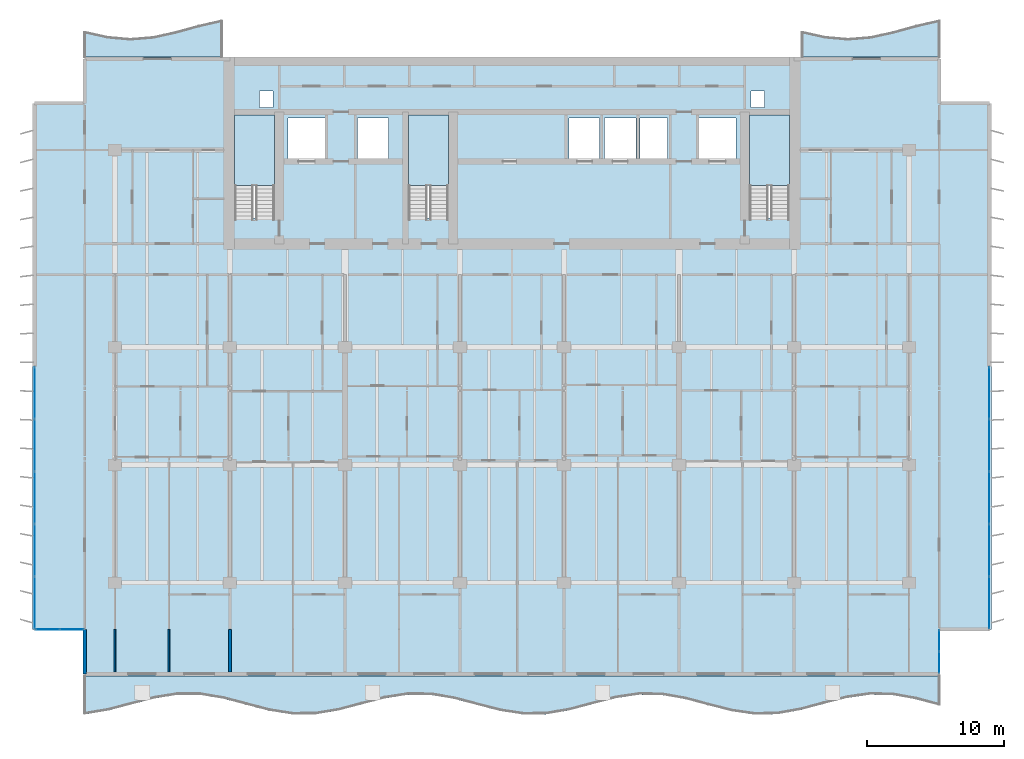
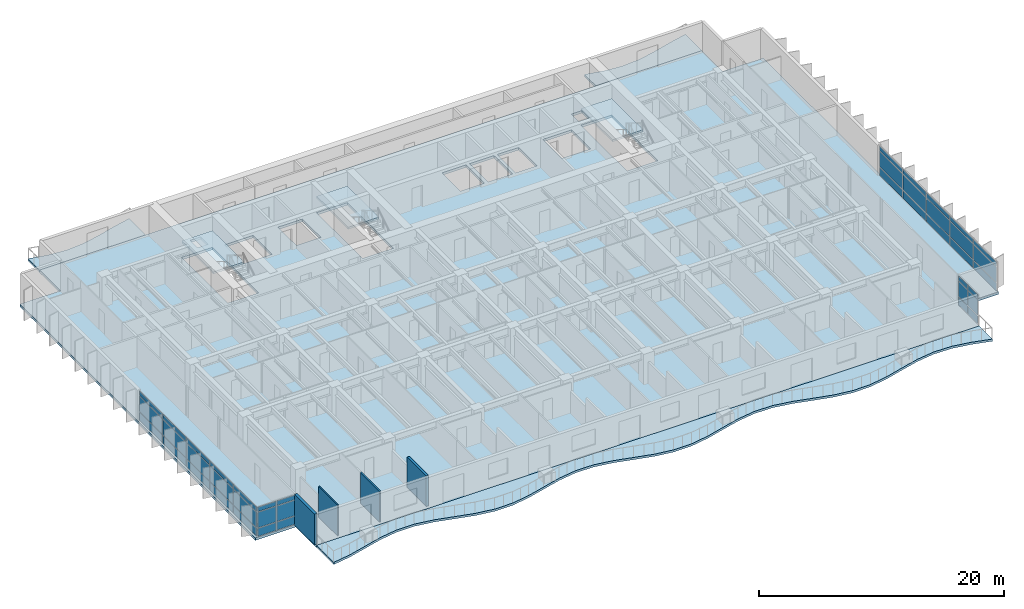
# One storey, part 5 of 18: 42 plates, 7 slabs, 4 walls, 7 elements without a shape of their own.
"""IFC4 building model written with IfcOpenShell, lengths in metres."""

from ifc_helpers import new_model, si_unit, direction, frame, frame_2d, origin, origin_2d, place, context, subcontext, project, spatial, polyline, rectangle, outline, extrude, material, layer, layer_set, type_object, element, aggregate, save


model = new_model("IFC4")

# Units and contexts
model_context = context("Model", 3, precision=1e-05, world=origin(), true_north=direction((0.0, 1.0)))
body_context = subcontext(model_context, "Body", "Model", "MODEL_VIEW")
ifc_project = project(units=[si_unit("LENGTHUNIT", "METRE"), si_unit("AREAUNIT", "SQUARE_METRE"), si_unit("VOLUMEUNIT", "CUBIC_METRE"), si_unit("PLANEANGLEUNIT", "RADIAN"), si_unit("MASSUNIT", "GRAM", prefix="KILO")], contexts=[model_context])

# Site, building, storey
site_placement = place(None, origin())
site = spatial("IfcSite", under=ifc_project, at=site_placement, CompositionType="ELEMENT")
building_placement = place(site_placement, origin())
building = spatial("IfcBuilding", under=site, at=building_placement, Name="Caelmar Bay Residences", CompositionType="ELEMENT")
storey_placement = place(building_placement, frame((0.0, 0.0, 125.699951171875)))
storey = spatial("IfcBuildingStorey", under=building, at=storey_placement, Name="L34", CompositionType="ELEMENT", Elevation=125.699951171875)

# Curtain wall, plates
ifc_material_1 = material(Name="Anodised bronze aluminium 6063-T6 and laminated glass", Category="aluminium")
ifc_layer_1 = layer(ifc_material_1, 0.179931640625)
ifc_layer_set_1 = layer_set([ifc_layer_1], Name="Anodised bronze aluminium 6063-T6 and laminated glass")
curtain_wall_type_1 = type_object("IfcCurtainWallType", Name="CW6-NTC", PredefinedType="NOTDEFINED", material=ifc_layer_set_1)
curtain_wall_1_placement = place(storey_placement, origin())
curtain_wall_1 = element("IfcCurtainWall", 1, at=curtain_wall_1_placement, inside=storey, type_object=curtain_wall_type_1, Name="CW6 curtain wall L34", PredefinedType="NOTDEFINED")
ifc_material_2 = material(Name="Bronze-tinted laminated low-E hurricane glass 28 mm", Category="glass")
ifc_layer_2 = layer(ifc_material_2, 0.028076171875)
ifc_layer_set_2 = layer_set([ifc_layer_2], Name="Bronze-tinted laminated low-E hurricane glass 28 mm")
plate_type = type_object("IfcPlateType", Name="CWP-GLZ28", PredefinedType="CURTAIN_PANEL", material=ifc_layer_set_2)
plate_1_placement = place(storey_placement, frame((4.982421875, 8.800048828125, 0.080078125), z_axis=(0.0, 0.0, 1.0), x_axis=(1.0, 0.0, 0.0)))
plate_1 = element("IfcPlate", 2, at=plate_1_placement, type_object=plate_type, Name="CW6 panel 1.1", PredefinedType="CURTAIN_PANEL", context=body_context, shape_type="SweptSolid", body=[
    extrude(rectangle(XDim=1.705078125, YDim=0.028076171875, at=origin_2d()), origin(), (0.0, 0.0, 1.0), 0.780029296875),
])
plate_2_placement = place(storey_placement, frame((4.982421875, 8.800048828125, 0.93994140625), z_axis=(0.0, 0.0, 1.0), x_axis=(1.0, 0.0, 0.0)))
plate_2 = element("IfcPlate", 3, at=plate_2_placement, type_object=plate_type, Name="CW6 panel 1.2", PredefinedType="CURTAIN_PANEL", context=body_context, shape_type="SweptSolid", body=[
    extrude(rectangle(XDim=1.705078125, YDim=0.028076171875, at=origin_2d()), origin(), (0.0, 0.0, 1.0), 1.52001953125),
])
plate_3_placement = place(storey_placement, frame((4.982421875, 8.800048828125, 2.5400390625), z_axis=(0.0, 0.0, 1.0), x_axis=(1.0, 0.0, 0.0)))
plate_3 = element("IfcPlate", 4, at=plate_3_placement, type_object=plate_type, Name="CW6 panel 1.3", PredefinedType="CURTAIN_PANEL", context=body_context, shape_type="SweptSolid", body=[
    extrude(rectangle(XDim=1.705078125, YDim=0.028076171875, at=origin_2d()), origin(), (0.0, 0.0, 1.0), 0.429931640625),
])
plate_4_placement = place(storey_placement, frame((6.767578125, 8.800048828125, 0.080078125), z_axis=(0.0, 0.0, 1.0), x_axis=(1.0, 0.0, 0.0)))
plate_4 = element("IfcPlate", 5, at=plate_4_placement, type_object=plate_type, Name="CW6 panel 2.1", PredefinedType="CURTAIN_PANEL", context=body_context, shape_type="SweptSolid", body=[
    extrude(rectangle(XDim=1.705078125, YDim=0.028076171875, at=origin_2d()), origin(), (0.0, 0.0, 1.0), 0.780029296875),
])
plate_5_placement = place(storey_placement, frame((6.767578125, 8.800048828125, 0.93994140625), z_axis=(0.0, 0.0, 1.0), x_axis=(1.0, 0.0, 0.0)))
plate_5 = element("IfcPlate", 6, at=plate_5_placement, type_object=plate_type, Name="CW6 panel 2.2", PredefinedType="CURTAIN_PANEL", context=body_context, shape_type="SweptSolid", body=[
    extrude(rectangle(XDim=1.705078125, YDim=0.028076171875, at=origin_2d()), origin(), (0.0, 0.0, 1.0), 1.52001953125),
])
plate_6_placement = place(storey_placement, frame((6.767578125, 8.800048828125, 2.5400390625), z_axis=(0.0, 0.0, 1.0), x_axis=(1.0, 0.0, 0.0)))
plate_6 = element("IfcPlate", 7, at=plate_6_placement, type_object=plate_type, Name="CW6 panel 2.3", PredefinedType="CURTAIN_PANEL", context=body_context, shape_type="SweptSolid", body=[
    extrude(rectangle(XDim=1.705078125, YDim=0.028076171875, at=origin_2d()), origin(), (0.0, 0.0, 1.0), 0.429931640625),
])
aggregate(curtain_wall_1, [plate_1, plate_2, plate_3, plate_4, plate_5, plate_6])

curtain_wall_2_placement = place(storey_placement, origin())
curtain_wall_2 = element("IfcCurtainWall", 8, at=curtain_wall_2_placement, inside=storey, type_object=curtain_wall_type_1, Name="CW6 curtain wall L34", PredefinedType="NOTDEFINED")
plate_7_placement = place(storey_placement, frame((70.10009765625, 6.382568359375, 0.080078125), z_axis=(0.0, 0.0, 1.0), x_axis=(0.0, 1.0, 0.0)))
plate_7 = element("IfcPlate", 9, at=plate_7_placement, type_object=plate_type, Name="CW6 panel 1.1", PredefinedType="CURTAIN_PANEL", context=body_context, shape_type="SweptSolid", body=[
    extrude(rectangle(XDim=1.5048828125, YDim=0.028076171875, at=origin_2d()), origin(), (0.0, 0.0, 1.0), 0.780029296875),
])
plate_8_placement = place(storey_placement, frame((70.10009765625, 6.382568359375, 0.93994140625), z_axis=(0.0, 0.0, 1.0), x_axis=(0.0, 1.0, 0.0)))
plate_8 = element("IfcPlate", 10, at=plate_8_placement, type_object=plate_type, Name="CW6 panel 1.2", PredefinedType="CURTAIN_PANEL", context=body_context, shape_type="SweptSolid", body=[
    extrude(rectangle(XDim=1.5048828125, YDim=0.028076171875, at=origin_2d()), origin(), (0.0, 0.0, 1.0), 1.52001953125),
])
plate_9_placement = place(storey_placement, frame((70.10009765625, 6.382568359375, 2.5400390625), z_axis=(0.0, 0.0, 1.0), x_axis=(0.0, 1.0, 0.0)))
plate_9 = element("IfcPlate", 11, at=plate_9_placement, type_object=plate_type, Name="CW6 panel 1.3", PredefinedType="CURTAIN_PANEL", context=body_context, shape_type="SweptSolid", body=[
    extrude(rectangle(XDim=1.5048828125, YDim=0.028076171875, at=origin_2d()), origin(), (0.0, 0.0, 1.0), 0.429931640625),
])
plate_10_placement = place(storey_placement, frame((70.10009765625, 7.967529296875, 0.080078125), z_axis=(0.0, 0.0, 1.0), x_axis=(0.0, 1.0, 0.0)))
plate_10 = element("IfcPlate", 12, at=plate_10_placement, type_object=plate_type, Name="CW6 panel 2.1", PredefinedType="CURTAIN_PANEL", context=body_context, shape_type="SweptSolid", body=[
    extrude(rectangle(XDim=1.5048828125, YDim=0.028076171875, at=origin_2d()), origin(), (0.0, 0.0, 1.0), 0.780029296875),
])
plate_11_placement = place(storey_placement, frame((70.10009765625, 7.967529296875, 0.93994140625), z_axis=(0.0, 0.0, 1.0), x_axis=(0.0, 1.0, 0.0)))
plate_11 = element("IfcPlate", 13, at=plate_11_placement, type_object=plate_type, Name="CW6 panel 2.2", PredefinedType="CURTAIN_PANEL", context=body_context, shape_type="SweptSolid", body=[
    extrude(rectangle(XDim=1.5048828125, YDim=0.028076171875, at=origin_2d()), origin(), (0.0, 0.0, 1.0), 1.52001953125),
])
plate_12_placement = place(storey_placement, frame((70.10009765625, 7.967529296875, 2.5400390625), z_axis=(0.0, 0.0, 1.0), x_axis=(0.0, 1.0, 0.0)))
plate_12 = element("IfcPlate", 14, at=plate_12_placement, type_object=plate_type, Name="CW6 panel 2.3", PredefinedType="CURTAIN_PANEL", context=body_context, shape_type="SweptSolid", body=[
    extrude(rectangle(XDim=1.5048828125, YDim=0.028076171875, at=origin_2d()), origin(), (0.0, 0.0, 1.0), 0.429931640625),
])
aggregate(curtain_wall_2, [plate_7, plate_8, plate_9, plate_10, plate_11, plate_12])

ifc_layer_3 = layer(ifc_material_1, 0.179931640625)
ifc_layer_set_3 = layer_set([ifc_layer_3], Name="Anodised bronze aluminium 6063-T6 and laminated glass")
curtain_wall_type_2 = type_object("IfcCurtainWallType", Name="CW3-Z2", PredefinedType="NOTDEFINED", material=ifc_layer_set_3)
curtain_wall_3_placement = place(storey_placement, origin())
curtain_wall_3 = element("IfcCurtainWall", 15, at=curtain_wall_3_placement, inside=storey, type_object=curtain_wall_type_2, Name="CW3 curtain wall L34", PredefinedType="NOTDEFINED")
plate_13_placement = place(storey_placement, frame((4.050048828125, 10.739990234375, 0.080078125), z_axis=(0.0, 0.0, 1.0), x_axis=(0.0, 1.0, 0.0)))
plate_13 = element("IfcPlate", 16, at=plate_13_placement, type_object=plate_type, Name="CW3 panel 1.1", PredefinedType="CURTAIN_PANEL", context=body_context, shape_type="SweptSolid", body=[
    extrude(rectangle(XDim=3.719970703125, YDim=0.028076171875, at=origin_2d()), origin(), (0.0, 0.0, 1.0), 0.780029296875),
])
plate_14_placement = place(storey_placement, frame((4.050048828125, 10.739990234375, 0.93994140625), z_axis=(0.0, 0.0, 1.0), x_axis=(0.0, 1.0, 0.0)))
plate_14 = element("IfcPlate", 17, at=plate_14_placement, type_object=plate_type, Name="CW3 panel 1.2", PredefinedType="CURTAIN_PANEL", context=body_context, shape_type="SweptSolid", body=[
    extrude(rectangle(XDim=3.719970703125, YDim=0.028076171875, at=origin_2d()), origin(), (0.0, 0.0, 1.0), 1.52001953125),
])
plate_15_placement = place(storey_placement, frame((4.050048828125, 10.739990234375, 2.5400390625), z_axis=(0.0, 0.0, 1.0), x_axis=(0.0, 1.0, 0.0)))
plate_15 = element("IfcPlate", 18, at=plate_15_placement, type_object=plate_type, Name="CW3 panel 1.3", PredefinedType="CURTAIN_PANEL", context=body_context, shape_type="SweptSolid", body=[
    extrude(rectangle(XDim=3.719970703125, YDim=0.028076171875, at=origin_2d()), origin(), (0.0, 0.0, 1.0), 0.429931640625),
])
plate_16_placement = place(storey_placement, frame((4.050048828125, 14.56005859375, 0.080078125), z_axis=(0.0, 0.0, 1.0), x_axis=(0.0, 1.0, 0.0)))
plate_16 = element("IfcPlate", 19, at=plate_16_placement, type_object=plate_type, Name="CW3 panel 2.1", PredefinedType="CURTAIN_PANEL", context=body_context, shape_type="SweptSolid", body=[
    extrude(rectangle(XDim=3.760009765625, YDim=0.028076171875, at=origin_2d()), origin(), (0.0, 0.0, 1.0), 0.780029296875),
])
plate_17_placement = place(storey_placement, frame((4.050048828125, 14.56005859375, 0.93994140625), z_axis=(0.0, 0.0, 1.0), x_axis=(0.0, 1.0, 0.0)))
plate_17 = element("IfcPlate", 20, at=plate_17_placement, type_object=plate_type, Name="CW3 panel 2.2", PredefinedType="CURTAIN_PANEL", context=body_context, shape_type="SweptSolid", body=[
    extrude(rectangle(XDim=3.760009765625, YDim=0.028076171875, at=origin_2d()), origin(), (0.0, 0.0, 1.0), 1.52001953125),
])
plate_18_placement = place(storey_placement, frame((4.050048828125, 14.56005859375, 2.5400390625), z_axis=(0.0, 0.0, 1.0), x_axis=(0.0, 1.0, 0.0)))
plate_18 = element("IfcPlate", 21, at=plate_18_placement, type_object=plate_type, Name="CW3 panel 2.3", PredefinedType="CURTAIN_PANEL", context=body_context, shape_type="SweptSolid", body=[
    extrude(rectangle(XDim=3.760009765625, YDim=0.028076171875, at=origin_2d()), origin(), (0.0, 0.0, 1.0), 0.429931640625),
])
plate_19_placement = place(storey_placement, frame((4.050048828125, 18.39990234375, 0.080078125), z_axis=(0.0, 0.0, 1.0), x_axis=(0.0, 1.0, 0.0)))
plate_19 = element("IfcPlate", 22, at=plate_19_placement, type_object=plate_type, Name="CW3 panel 3.1", PredefinedType="CURTAIN_PANEL", context=body_context, shape_type="SweptSolid", body=[
    extrude(rectangle(XDim=3.760009765625, YDim=0.028076171875, at=origin_2d()), origin(), (0.0, 0.0, 1.0), 0.780029296875),
])
plate_20_placement = place(storey_placement, frame((4.050048828125, 18.39990234375, 0.93994140625), z_axis=(0.0, 0.0, 1.0), x_axis=(0.0, 1.0, 0.0)))
plate_20 = element("IfcPlate", 23, at=plate_20_placement, type_object=plate_type, Name="CW3 panel 3.2", PredefinedType="CURTAIN_PANEL", context=body_context, shape_type="SweptSolid", body=[
    extrude(rectangle(XDim=3.760009765625, YDim=0.028076171875, at=origin_2d()), origin(), (0.0, 0.0, 1.0), 1.52001953125),
])
plate_21_placement = place(storey_placement, frame((4.050048828125, 18.39990234375, 2.5400390625), z_axis=(0.0, 0.0, 1.0), x_axis=(0.0, 1.0, 0.0)))
plate_21 = element("IfcPlate", 24, at=plate_21_placement, type_object=plate_type, Name="CW3 panel 3.3", PredefinedType="CURTAIN_PANEL", context=body_context, shape_type="SweptSolid", body=[
    extrude(rectangle(XDim=3.760009765625, YDim=0.028076171875, at=origin_2d()), origin(), (0.0, 0.0, 1.0), 0.429931640625),
])
plate_22_placement = place(storey_placement, frame((4.050048828125, 22.239990234375, 0.080078125), z_axis=(0.0, 0.0, 1.0), x_axis=(0.0, 1.0, 0.0)))
plate_22 = element("IfcPlate", 25, at=plate_22_placement, type_object=plate_type, Name="CW3 panel 4.1", PredefinedType="CURTAIN_PANEL", context=body_context, shape_type="SweptSolid", body=[
    extrude(rectangle(XDim=3.760009765625, YDim=0.028076171875, at=origin_2d()), origin(), (0.0, 0.0, 1.0), 0.780029296875),
])
plate_23_placement = place(storey_placement, frame((4.050048828125, 22.239990234375, 0.93994140625), z_axis=(0.0, 0.0, 1.0), x_axis=(0.0, 1.0, 0.0)))
plate_23 = element("IfcPlate", 26, at=plate_23_placement, type_object=plate_type, Name="CW3 panel 4.2", PredefinedType="CURTAIN_PANEL", context=body_context, shape_type="SweptSolid", body=[
    extrude(rectangle(XDim=3.760009765625, YDim=0.028076171875, at=origin_2d()), origin(), (0.0, 0.0, 1.0), 1.52001953125),
])
plate_24_placement = place(storey_placement, frame((4.050048828125, 22.239990234375, 2.5400390625), z_axis=(0.0, 0.0, 1.0), x_axis=(0.0, 1.0, 0.0)))
plate_24 = element("IfcPlate", 27, at=plate_24_placement, type_object=plate_type, Name="CW3 panel 4.3", PredefinedType="CURTAIN_PANEL", context=body_context, shape_type="SweptSolid", body=[
    extrude(rectangle(XDim=3.760009765625, YDim=0.028076171875, at=origin_2d()), origin(), (0.0, 0.0, 1.0), 0.429931640625),
])
plate_25_placement = place(storey_placement, frame((4.050048828125, 26.06005859375, 0.080078125), z_axis=(0.0, 0.0, 1.0), x_axis=(0.0, 1.0, 0.0)))
plate_25 = element("IfcPlate", 28, at=plate_25_placement, type_object=plate_type, Name="CW3 panel 5.1", PredefinedType="CURTAIN_PANEL", context=body_context, shape_type="SweptSolid", body=[
    extrude(rectangle(XDim=3.719970703125, YDim=0.028076171875, at=origin_2d()), origin(), (0.0, 0.0, 1.0), 0.780029296875),
])
plate_26_placement = place(storey_placement, frame((4.050048828125, 26.06005859375, 0.93994140625), z_axis=(0.0, 0.0, 1.0), x_axis=(0.0, 1.0, 0.0)))
plate_26 = element("IfcPlate", 29, at=plate_26_placement, type_object=plate_type, Name="CW3 panel 5.2", PredefinedType="CURTAIN_PANEL", context=body_context, shape_type="SweptSolid", body=[
    extrude(rectangle(XDim=3.719970703125, YDim=0.028076171875, at=origin_2d()), origin(), (0.0, 0.0, 1.0), 1.52001953125),
])
plate_27_placement = place(storey_placement, frame((4.050048828125, 26.06005859375, 2.5400390625), z_axis=(0.0, 0.0, 1.0), x_axis=(0.0, 1.0, 0.0)))
plate_27 = element("IfcPlate", 30, at=plate_27_placement, type_object=plate_type, Name="CW3 panel 5.3", PredefinedType="CURTAIN_PANEL", context=body_context, shape_type="SweptSolid", body=[
    extrude(rectangle(XDim=3.719970703125, YDim=0.028076171875, at=origin_2d()), origin(), (0.0, 0.0, 1.0), 0.429931640625),
])
aggregate(curtain_wall_3, [plate_13, plate_14, plate_15, plate_16, plate_17, plate_18, plate_19, plate_20, plate_21, plate_22, plate_23, plate_24, plate_25, plate_26, plate_27])

curtain_wall_4_placement = place(storey_placement, origin())
curtain_wall_4 = element("IfcCurtainWall", 31, at=curtain_wall_4_placement, inside=storey, type_object=curtain_wall_type_2, Name="CW3 curtain wall L34", PredefinedType="NOTDEFINED")
plate_28_placement = place(storey_placement, frame((73.75, 26.06005859375, 0.080078125), z_axis=(0.0, 0.0, 1.0), x_axis=(0.0, -1.0, 0.0)))
plate_28 = element("IfcPlate", 32, at=plate_28_placement, type_object=plate_type, Name="CW3 panel 1.1", PredefinedType="CURTAIN_PANEL", context=body_context, shape_type="SweptSolid", body=[
    extrude(rectangle(XDim=3.719970703125, YDim=0.028076171875, at=origin_2d()), origin(), (0.0, 0.0, 1.0), 0.780029296875),
])
plate_29_placement = place(storey_placement, frame((73.75, 26.06005859375, 0.93994140625), z_axis=(0.0, 0.0, 1.0), x_axis=(0.0, -1.0, 0.0)))
plate_29 = element("IfcPlate", 33, at=plate_29_placement, type_object=plate_type, Name="CW3 panel 1.2", PredefinedType="CURTAIN_PANEL", context=body_context, shape_type="SweptSolid", body=[
    extrude(rectangle(XDim=3.719970703125, YDim=0.028076171875, at=origin_2d()), origin(), (0.0, 0.0, 1.0), 1.52001953125),
])
plate_30_placement = place(storey_placement, frame((73.75, 26.06005859375, 2.5400390625), z_axis=(0.0, 0.0, 1.0), x_axis=(0.0, -1.0, 0.0)))
plate_30 = element("IfcPlate", 34, at=plate_30_placement, type_object=plate_type, Name="CW3 panel 1.3", PredefinedType="CURTAIN_PANEL", context=body_context, shape_type="SweptSolid", body=[
    extrude(rectangle(XDim=3.719970703125, YDim=0.028076171875, at=origin_2d()), origin(), (0.0, 0.0, 1.0), 0.429931640625),
])
plate_31_placement = place(storey_placement, frame((73.75, 22.239990234375, 0.080078125), z_axis=(0.0, 0.0, 1.0), x_axis=(0.0, -1.0, 0.0)))
plate_31 = element("IfcPlate", 35, at=plate_31_placement, type_object=plate_type, Name="CW3 panel 2.1", PredefinedType="CURTAIN_PANEL", context=body_context, shape_type="SweptSolid", body=[
    extrude(rectangle(XDim=3.760009765625, YDim=0.028076171875, at=origin_2d()), origin(), (0.0, 0.0, 1.0), 0.780029296875),
])
plate_32_placement = place(storey_placement, frame((73.75, 22.239990234375, 0.93994140625), z_axis=(0.0, 0.0, 1.0), x_axis=(0.0, -1.0, 0.0)))
plate_32 = element("IfcPlate", 36, at=plate_32_placement, type_object=plate_type, Name="CW3 panel 2.2", PredefinedType="CURTAIN_PANEL", context=body_context, shape_type="SweptSolid", body=[
    extrude(rectangle(XDim=3.760009765625, YDim=0.028076171875, at=origin_2d()), origin(), (0.0, 0.0, 1.0), 1.52001953125),
])
plate_33_placement = place(storey_placement, frame((73.75, 22.239990234375, 2.5400390625), z_axis=(0.0, 0.0, 1.0), x_axis=(0.0, -1.0, 0.0)))
plate_33 = element("IfcPlate", 37, at=plate_33_placement, type_object=plate_type, Name="CW3 panel 2.3", PredefinedType="CURTAIN_PANEL", context=body_context, shape_type="SweptSolid", body=[
    extrude(rectangle(XDim=3.760009765625, YDim=0.028076171875, at=origin_2d()), origin(), (0.0, 0.0, 1.0), 0.429931640625),
])
plate_34_placement = place(storey_placement, frame((73.75, 18.39990234375, 0.080078125), z_axis=(0.0, 0.0, 1.0), x_axis=(0.0, -1.0, 0.0)))
plate_34 = element("IfcPlate", 38, at=plate_34_placement, type_object=plate_type, Name="CW3 panel 3.1", PredefinedType="CURTAIN_PANEL", context=body_context, shape_type="SweptSolid", body=[
    extrude(rectangle(XDim=3.760009765625, YDim=0.028076171875, at=origin_2d()), origin(), (0.0, 0.0, 1.0), 0.780029296875),
])
plate_35_placement = place(storey_placement, frame((73.75, 18.39990234375, 0.93994140625), z_axis=(0.0, 0.0, 1.0), x_axis=(0.0, -1.0, 0.0)))
plate_35 = element("IfcPlate", 39, at=plate_35_placement, type_object=plate_type, Name="CW3 panel 3.2", PredefinedType="CURTAIN_PANEL", context=body_context, shape_type="SweptSolid", body=[
    extrude(rectangle(XDim=3.760009765625, YDim=0.028076171875, at=origin_2d()), origin(), (0.0, 0.0, 1.0), 1.52001953125),
])
plate_36_placement = place(storey_placement, frame((73.75, 18.39990234375, 2.5400390625), z_axis=(0.0, 0.0, 1.0), x_axis=(0.0, -1.0, 0.0)))
plate_36 = element("IfcPlate", 40, at=plate_36_placement, type_object=plate_type, Name="CW3 panel 3.3", PredefinedType="CURTAIN_PANEL", context=body_context, shape_type="SweptSolid", body=[
    extrude(rectangle(XDim=3.760009765625, YDim=0.028076171875, at=origin_2d()), origin(), (0.0, 0.0, 1.0), 0.429931640625),
])
plate_37_placement = place(storey_placement, frame((73.75, 14.56005859375, 0.080078125), z_axis=(0.0, 0.0, 1.0), x_axis=(0.0, -1.0, 0.0)))
plate_37 = element("IfcPlate", 41, at=plate_37_placement, type_object=plate_type, Name="CW3 panel 4.1", PredefinedType="CURTAIN_PANEL", context=body_context, shape_type="SweptSolid", body=[
    extrude(rectangle(XDim=3.760009765625, YDim=0.028076171875, at=origin_2d()), origin(), (0.0, 0.0, 1.0), 0.780029296875),
])
plate_38_placement = place(storey_placement, frame((73.75, 14.56005859375, 0.93994140625), z_axis=(0.0, 0.0, 1.0), x_axis=(0.0, -1.0, 0.0)))
plate_38 = element("IfcPlate", 42, at=plate_38_placement, type_object=plate_type, Name="CW3 panel 4.2", PredefinedType="CURTAIN_PANEL", context=body_context, shape_type="SweptSolid", body=[
    extrude(rectangle(XDim=3.760009765625, YDim=0.028076171875, at=origin_2d()), origin(), (0.0, 0.0, 1.0), 1.52001953125),
])
plate_39_placement = place(storey_placement, frame((73.75, 14.56005859375, 2.5400390625), z_axis=(0.0, 0.0, 1.0), x_axis=(0.0, -1.0, 0.0)))
plate_39 = element("IfcPlate", 43, at=plate_39_placement, type_object=plate_type, Name="CW3 panel 4.3", PredefinedType="CURTAIN_PANEL", context=body_context, shape_type="SweptSolid", body=[
    extrude(rectangle(XDim=3.760009765625, YDim=0.028076171875, at=origin_2d()), origin(), (0.0, 0.0, 1.0), 0.429931640625),
])
plate_40_placement = place(storey_placement, frame((73.75, 10.739990234375, 0.080078125), z_axis=(0.0, 0.0, 1.0), x_axis=(0.0, -1.0, 0.0)))
plate_40 = element("IfcPlate", 44, at=plate_40_placement, type_object=plate_type, Name="CW3 panel 5.1", PredefinedType="CURTAIN_PANEL", context=body_context, shape_type="SweptSolid", body=[
    extrude(rectangle(XDim=3.719970703125, YDim=0.028076171875, at=origin_2d()), origin(), (0.0, 0.0, 1.0), 0.780029296875),
])
plate_41_placement = place(storey_placement, frame((73.75, 10.739990234375, 0.93994140625), z_axis=(0.0, 0.0, 1.0), x_axis=(0.0, -1.0, 0.0)))
plate_41 = element("IfcPlate", 45, at=plate_41_placement, type_object=plate_type, Name="CW3 panel 5.2", PredefinedType="CURTAIN_PANEL", context=body_context, shape_type="SweptSolid", body=[
    extrude(rectangle(XDim=3.719970703125, YDim=0.028076171875, at=origin_2d()), origin(), (0.0, 0.0, 1.0), 1.52001953125),
])
plate_42_placement = place(storey_placement, frame((73.75, 10.739990234375, 2.5400390625), z_axis=(0.0, 0.0, 1.0), x_axis=(0.0, -1.0, 0.0)))
plate_42 = element("IfcPlate", 46, at=plate_42_placement, type_object=plate_type, Name="CW3 panel 5.3", PredefinedType="CURTAIN_PANEL", context=body_context, shape_type="SweptSolid", body=[
    extrude(rectangle(XDim=3.719970703125, YDim=0.028076171875, at=origin_2d()), origin(), (0.0, 0.0, 1.0), 0.429931640625),
])
aggregate(curtain_wall_4, [plate_28, plate_29, plate_30, plate_31, plate_32, plate_33, plate_34, plate_35, plate_36, plate_37, plate_38, plate_39, plate_40, plate_41, plate_42])

# Slabs
ifc_material_3 = material(Name="Concrete f'c 40 MPa (6,000 psi)", Category="concrete")
ifc_layer_4 = layer(ifc_material_3, 0.219970703125)
ifc_layer_set_4 = layer_set([ifc_layer_4], Name="Concrete f'c 40 MPa (6,000 psi)")
slab_type_1 = type_object("IfcSlabType", Name="SLB-BAL-220", PredefinedType="FLOOR", material=ifc_layer_set_4)
slab_1_placement = place(storey_placement, frame((0.0, 0.0, -0.219970703125)))
element("IfcSlab", 47, at=slab_1_placement, inside=storey, type_object=slab_type_1, Name="L34 Sinusoidal Tree-Balcony Slab south", PredefinedType="FLOOR", context=body_context, shape_type="SweptSolid", body=[
    extrude(outline(polyline([(7.699951171875, 2.586669921875), (9.386474609375, 2.860595703125), (11.072998046875, 3.3037109375), (12.759521484375, 3.745361328125), (14.44580078125, 4.015380859375), (16.13232421875, 4.010498046875), (17.81884765625, 3.73193359375), (19.50537109375, 3.287353515625), (21.19189453125, 2.847412109375), (22.87841796875, 2.581787109375), (24.56494140625, 2.592529296875), (26.25146484375, 2.87548828125), (27.937744140625, 3.32177734375), (29.624267578125, 3.759765625), (31.310791015625, 4.020751953125), (32.997314453125, 4.00439453125), (34.683837890625, 3.717041015625), (36.370361328125, 3.26904296875), (38.056884765625, 2.8330078125), (39.7431640625, 2.576904296875), (41.4296875, 2.598876953125), (43.1162109375, 2.890625), (44.802734375, 3.340087890625), (46.4892578125, 3.77392578125), (48.17578125, 4.025634765625), (49.8623046875, 3.997802734375), (51.548583984375, 3.70166015625), (53.235107421875, 3.2509765625), (54.921630859375, 2.819091796875), (56.608154296875, 2.572265625), (58.294677734375, 2.60546875), (59.981201171875, 2.906005859375), (61.66748046875, 3.358154296875), (63.35400390625, 3.7880859375), (65.04052734375, 4.030029296875), (66.72705078125, 3.9912109375), (68.41357421875, 3.686279296875), (70.10009765625, 3.23291015625), (70.10009765625, 5.39990234375), (7.699951171875, 5.39990234375), (7.699951171875, 2.586669921875)])), origin(), (0.0, 0.0, 1.0), 0.219970703125),
])
slab_2_placement = place(storey_placement, frame((0.0, 0.0, -0.219970703125)))
element("IfcSlab", 48, at=slab_2_placement, inside=storey, type_object=slab_type_1, Name="L34 Sinusoidal Tree-Balcony Slab north_west", PredefinedType="FLOOR", context=body_context, shape_type="SweptSolid", body=[
    extrude(outline(polyline([(7.699951171875, 50.60009765625), (17.699951171875, 50.60009765625), (17.699951171875, 53.293212890625), (16.033203125, 52.913818359375), (14.36669921875, 52.4541015625), (12.699951171875, 52.086669921875), (11.033203125, 51.949951171875), (9.36669921875, 52.095458984375), (7.699951171875, 52.46826171875), (7.699951171875, 50.60009765625)])), origin(), (0.0, 0.0, 1.0), 0.219970703125),
])
slab_3_placement = place(storey_placement, frame((0.0, 0.0, -0.219970703125)))
element("IfcSlab", 49, at=slab_3_placement, inside=storey, type_object=slab_type_1, Name="L34 Sinusoidal Tree-Balcony Slab north_east", PredefinedType="FLOOR", context=body_context, shape_type="SweptSolid", body=[
    extrude(outline(polyline([(60.10009765625, 50.60009765625), (70.10009765625, 50.60009765625), (70.10009765625, 53.293212890625), (68.433349609375, 52.913818359375), (66.7666015625, 52.4541015625), (65.10009765625, 52.086669921875), (63.433349609375, 51.949951171875), (61.7666015625, 52.095458984375), (60.10009765625, 52.46826171875), (60.10009765625, 50.60009765625)])), origin(), (0.0, 0.0, 1.0), 0.219970703125),
])

# Stair, slab
stair_type = type_object("IfcStairType", Name="ST-TYP-165", PredefinedType="HALF_TURN_STAIR", material=ifc_material_3)
stair_1_placement = place(storey_placement, origin())
stair_1 = element("IfcStair", 50, at=stair_1_placement, inside=storey, type_object=stair_type, Name="L34 West Smokeproof Exit Stair ST1", PredefinedType="HALF_TURN_STAIR")
ifc_layer_5 = layer(ifc_material_3, 0.199951171875)
ifc_layer_set_5 = layer_set([ifc_layer_5], Name="Concrete f'c 40 MPa (6,000 psi)")
slab_type_2 = type_object("IfcSlabType", Name="SLB-LND-200", PredefinedType="LANDING", material=ifc_layer_set_5)
slab_4_placement = place(storey_placement, frame((0.0, 0.0, 1.449951171875)))
slab_4 = element("IfcSlab", 51, at=slab_4_placement, type_object=slab_type_2, Name="ST1 landing 1", PredefinedType="LANDING", context=body_context, shape_type="SweptSolid", body=[
    extrude(outline(polyline([(21.550048828125, 41.219970703125), (21.550048828125, 46.35009765625), (18.64990234375, 46.35009765625), (18.64990234375, 41.219970703125), (21.550048828125, 41.219970703125)])), origin(), (0.0, 0.0, 1.0), 0.2001953125),
])
aggregate(stair_1, [slab_4])

stair_2_placement = place(storey_placement, origin())
stair_2 = element("IfcStair", 52, at=stair_2_placement, inside=storey, type_object=stair_type, Name="L34 East Smokeproof Exit Stair ST2", PredefinedType="HALF_TURN_STAIR")
slab_5_placement = place(storey_placement, frame((0.0, 0.0, 1.449951171875)))
slab_5 = element("IfcSlab", 53, at=slab_5_placement, type_object=slab_type_2, Name="ST2 landing 1", PredefinedType="LANDING", context=body_context, shape_type="SweptSolid", body=[
    extrude(outline(polyline([(59.14990234375, 41.219970703125), (59.14990234375, 46.35009765625), (56.25, 46.35009765625), (56.25, 41.219970703125), (59.14990234375, 41.219970703125)])), origin(), (0.0, 0.0, 1.0), 0.2001953125),
])
aggregate(stair_2, [slab_5])

stair_3_placement = place(storey_placement, origin())
stair_3 = element("IfcStair", 54, at=stair_3_placement, inside=storey, type_object=stair_type, Name="L34 Central Smokeproof Exit Stair ST3", PredefinedType="HALF_TURN_STAIR")
slab_6_placement = place(storey_placement, frame((0.0, 0.0, 1.449951171875)))
slab_6 = element("IfcSlab", 55, at=slab_6_placement, type_object=slab_type_2, Name="ST3 landing 1", PredefinedType="LANDING", context=body_context, shape_type="SweptSolid", body=[
    extrude(outline(polyline([(34.25, 41.219970703125), (34.25, 46.35009765625), (31.35009765625, 46.35009765625), (31.35009765625, 41.219970703125), (34.25, 41.219970703125)])), origin(), (0.0, 0.0, 1.0), 0.2001953125),
])
aggregate(stair_3, [slab_6])

# Slab
ifc_layer_6 = layer(ifc_material_3, 0.25)
ifc_layer_set_6 = layer_set([ifc_layer_6], Name="Concrete f'c 40 MPa (6,000 psi)")
slab_type_3 = type_object("IfcSlabType", Name="SLB-RES-250", PredefinedType="FLOOR", material=ifc_layer_set_6)
slab_7_placement = place(storey_placement, frame((0.0, 0.0, -0.25)))
element("IfcSlab", 56, at=slab_7_placement, inside=storey, type_object=slab_type_3, Name="L34 Structural Floor Slab", PredefinedType="FLOOR", context=body_context, shape_type="SweptSolid", body=[
    extrude(outline(polyline([(7.699951171875, 5.39990234375), (70.10009765625, 5.39990234375), (70.10009765625, 8.800048828125), (73.89990234375, 8.800048828125), (73.89990234375, 47.199951171875), (70.10009765625, 47.199951171875), (70.10009765625, 50.60009765625), (7.699951171875, 50.60009765625), (7.699951171875, 47.199951171875), (3.89990234375, 47.199951171875), (3.89990234375, 8.800048828125), (7.699951171875, 8.800048828125), (7.699951171875, 5.39990234375)]), holes=[polyline([(18.64990234375, 38.85009765625), (21.550048828125, 38.85009765625), (21.550048828125, 46.35009765625), (18.64990234375, 46.35009765625), (18.64990234375, 38.85009765625)]), polyline([(56.25, 38.85009765625), (59.14990234375, 38.85009765625), (59.14990234375, 46.35009765625), (56.25, 46.35009765625), (56.25, 38.85009765625)]), polyline([(31.35009765625, 38.85009765625), (34.25, 38.85009765625), (34.25, 46.35009765625), (31.35009765625, 46.35009765625), (31.35009765625, 38.85009765625)]), polyline([(22.550048828125, 43.050048828125), (25.25, 43.050048828125), (25.25, 46.14990234375), (22.550048828125, 46.14990234375), (22.550048828125, 43.050048828125)]), polyline([(52.550048828125, 43.050048828125), (55.25, 43.050048828125), (55.25, 46.14990234375), (52.550048828125, 46.14990234375), (52.550048828125, 43.050048828125)]), polyline([(43.050048828125, 43.14990234375), (45.300048828125, 43.14990234375), (45.300048828125, 46.14990234375), (43.050048828125, 46.14990234375), (43.050048828125, 43.14990234375)]), polyline([(45.64990234375, 43.14990234375), (47.949951171875, 43.14990234375), (47.949951171875, 46.14990234375), (45.64990234375, 46.14990234375), (45.64990234375, 43.14990234375)]), polyline([(48.25, 43.14990234375), (50.25, 43.14990234375), (50.25, 46.14990234375), (48.25, 46.14990234375), (48.25, 43.14990234375)]), polyline([(27.60009765625, 43.14990234375), (29.89990234375, 43.14990234375), (29.89990234375, 46.14990234375), (27.60009765625, 46.14990234375), (27.60009765625, 43.14990234375)]), polyline([(20.449951171875, 46.89990234375), (21.449951171875, 46.89990234375), (21.449951171875, 48.10009765625), (20.449951171875, 48.10009765625), (20.449951171875, 46.89990234375)]), polyline([(56.35009765625, 46.89990234375), (57.35009765625, 46.89990234375), (57.35009765625, 48.10009765625), (56.35009765625, 48.10009765625), (56.35009765625, 46.89990234375)])]), origin(), (0.0, 0.0, 1.0), 0.25),
])

# Walls
ifc_material_4 = material(Name="Precast concrete f'c 40 MPa (6,000 psi)", Category="concrete")
ifc_layer_7 = layer(ifc_material_4, 0.25)
ifc_layer_set_7 = layer_set([ifc_layer_7], Name="Precast concrete f'c 40 MPa (6,000 psi)")
wall_type_1 = type_object("IfcWallType", Name="W-EXT-250", PredefinedType="ELEMENTEDWALL", material=ifc_layer_set_7)
wall_1_placement = place(storey_placement, frame((7.699951171875, 8.800048828125, 0.0), z_axis=(0.0, 0.0, 1.0), x_axis=(0.0, -1.0, 0.0)))
element("IfcWall", 57, at=wall_1_placement, inside=storey, type_object=wall_type_1, Name="L34 SW Notch Return Wall", PredefinedType="ELEMENTEDWALL", context=body_context, shape_type="SweptSolid", body=[
    extrude(rectangle(XDim=3.25, YDim=0.25, at=frame_2d((1.625, 0.0))), origin(), (0.0, 0.0, 1.0), 3.050048828125),
])
ifc_material_5 = material(Name="Acoustic metal-stud gypsum partition 120 mm")
ifc_layer_8 = layer(ifc_material_5, 0.1201171875)
ifc_layer_set_8 = layer_set([ifc_layer_8], Name="Acoustic metal-stud gypsum partition 120 mm")
wall_type_2 = type_object("IfcWallType", Name="W-PRT-120", PredefinedType="PARTITIONING", material=ifc_layer_set_8)
for number, where, z_axis, x_axis, name in (
    (58, (9.89990234375, 5.695068359375, 0.0), (0.0, 0.0, 1.0), (0.0, 1.0, 0.0), "L34 Partition Wall V009"),
    (59, (13.847900390625, 5.695068359375, 0.0), (0.0, 0.0, 1.0), (0.0, 1.0, 0.0), "L34 Partition Wall V016"),
):
    element("IfcWall", number, at=place(storey_placement, frame(where, z_axis=z_axis, x_axis=x_axis)), inside=storey, type_object=wall_type_2, Name=name, PredefinedType="PARTITIONING", context=body_context, shape_type="SweptSolid", body=[
        extrude(rectangle(XDim=3.10498046875, YDim=0.1201171875, at=frame_2d((1.552490234375, 0.0))), origin(), (0.0, 0.0, 1.0), 3.050048828125),
    ])
ifc_material_6 = material(Name="Acoustic twin-stud fire-rated inter-tenancy partition 200 mm")
ifc_layer_9 = layer(ifc_material_6, 0.199951171875)
ifc_layer_set_9 = layer_set([ifc_layer_9], Name="Acoustic twin-stud fire-rated inter-tenancy partition 200 mm")
wall_type_3 = type_object("IfcWallType", Name="W-PTY-200", PredefinedType="PARTITIONING", material=ifc_layer_set_9)
wall_2_placement = place(storey_placement, frame((18.300048828125, 5.695068359375, 0.0), z_axis=(0.0, 0.0, 1.0), x_axis=(0.0, 1.0, 0.0)))
element("IfcWall", 60, at=wall_2_placement, inside=storey, type_object=wall_type_3, Name="L34 Partition Wall V023", PredefinedType="PARTITIONING", context=body_context, shape_type="SweptSolid", body=[
    extrude(rectangle(XDim=3.10498046875, YDim=0.199951171875, at=frame_2d((1.552490234375, 0.0))), origin(), (0.0, 0.0, 1.0), 3.050048828125),
])

save(model, "model.ifc")
